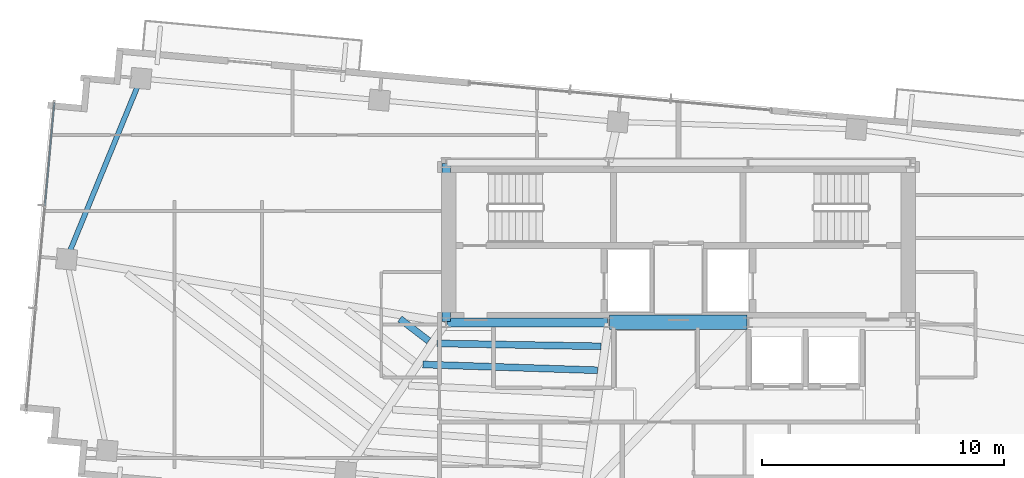
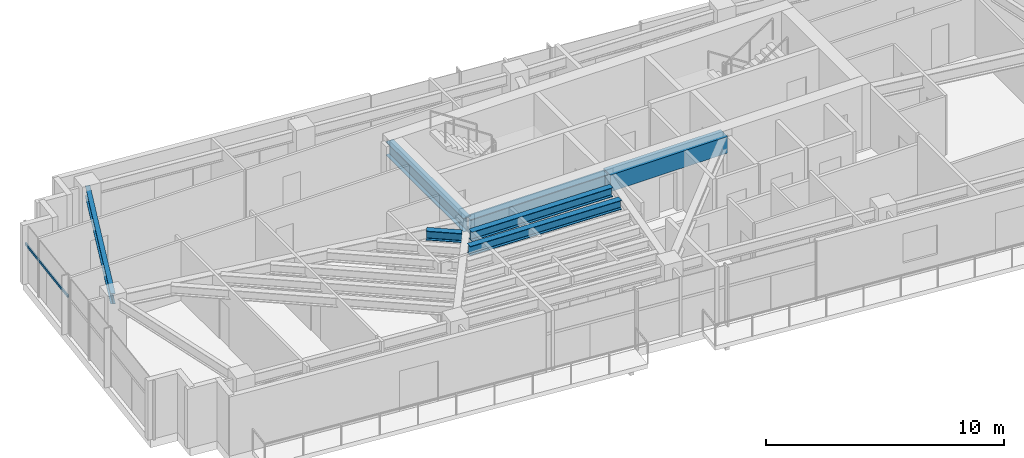
# One storey, part 8 of 22: 7 beams, 1 member, 1 element without a shape of its own.
"""IFC4 building model written with IfcOpenShell, lengths in metres."""

from ifc_helpers import new_model, si_unit, direction, frame, origin, origin_2d, place, context, subcontext, project, spatial, rectangle, hollow_rectangle, i_section, extrude, source, transform, mapped, material, material_profile, profile_set, type_object, type_shapes, element, aggregate, save


model = new_model("IFC4")

# Units and contexts
model_context = context("Model", 3, precision=1e-05, world=origin(), true_north=direction((0.0, 1.0)))
body_context = subcontext(model_context, "Body", "Model", "MODEL_VIEW")
ifc_project = project(units=[si_unit("LENGTHUNIT", "METRE"), si_unit("AREAUNIT", "SQUARE_METRE"), si_unit("VOLUMEUNIT", "CUBIC_METRE"), si_unit("PLANEANGLEUNIT", "RADIAN"), si_unit("MASSUNIT", "GRAM", prefix="KILO")], contexts=[model_context])

# Site, building, storey
site_placement = place(None, origin())
site = spatial("IfcSite", under=ifc_project, at=site_placement, CompositionType="ELEMENT")
building_placement = place(site_placement, origin())
building = spatial("IfcBuilding", under=site, at=building_placement, Name="Astriad Promenade Condominiums", CompositionType="ELEMENT")
storey_placement = place(building_placement, frame((0.0, 0.0, 216.60009765625)))
storey = spatial("IfcBuildingStorey", under=building, at=storey_placement, Name="L62", CompositionType="ELEMENT", Elevation=216.60009765625)

# Beams
ifc_material_1 = material(Name="Steel ASTM A992 Grade 50", Category="steel")
ifc_material_profile_1 = material_profile(ifc_material_1, i_section(OverallWidth=0.3837890625, OverallDepth=0.785888671875, WebThickness=0.019775390625, FlangeThickness=0.033447265625, FilletRadius=0.021484375, at=origin_2d()), Name="W30X211")
ifc_profile_set_1 = profile_set([ifc_material_profile_1], Name="Steel ASTM A992 Grade 50")
beam_type_1 = type_object("IfcBeamType", Name="STEEL FLOOR GIRDER W30X211", PredefinedType="BEAM", material=ifc_profile_set_1)
shared_shape_1 = source(origin(), body_context, "Body", "SweptSolid", [
    extrude(i_section(OverallWidth=0.3837890625, OverallDepth=0.785888671875, WebThickness=0.019775390625, FlangeThickness=0.033447265625, FilletRadius=0.021484375, at=origin_2d()), origin(), (0.0, 0.0, 1.0), 6.64013671875),
])
type_shapes(beam_type_1, [shared_shape_1])
beam_1_placement = place(storey_placement, frame((26.43994140625, 17.39990234375, 2.64697265625), z_axis=(1.0, 0.0, 0.0), x_axis=(0.0, 1.0, 0.0)))
element("IfcBeam", 1, at=beam_1_placement, inside=storey, type_object=beam_type_1, Name="Core Ring Beam CG-S1-L62", PredefinedType="BEAM", context=body_context, shape_type="MappedRepresentation", body=[
    mapped(shared_shape_1, transform((0.0, 0.0, 0.0), scale=1.0)),
])
ifc_material_profile_2 = material_profile(ifc_material_1, i_section(OverallWidth=0.35791015625, OverallDepth=0.706298828125, WebThickness=0.018310546875, FlangeThickness=0.0302734375, FilletRadius=0.020263671875, at=origin_2d()), Name="W27X178")
ifc_profile_set_2 = profile_set([ifc_material_profile_2], Name="Steel ASTM A992 Grade 50")
beam_type_2 = type_object("IfcBeamType", Name="STEEL FLOOR GIRDER W27X178", PredefinedType="BEAM", material=ifc_profile_set_2)
shared_shape_2 = source(origin(), body_context, "Body", "SweptSolid", [
    extrude(i_section(OverallWidth=0.35791015625, OverallDepth=0.706298828125, WebThickness=0.018310546875, FlangeThickness=0.0302734375, FilletRadius=0.020263671875, at=origin_2d()), origin(), (0.0, 0.0, 1.0), 6.52001953125),
])
type_shapes(beam_type_2, [shared_shape_2])
beam_2_placement = place(storey_placement, frame((26.39990234375, 17.43994140625, 2.686767578125), z_axis=(0.0, 1.0, 0.0), x_axis=(-1.0, 0.0, 0.0)))
element("IfcBeam", 2, at=beam_2_placement, inside=storey, type_object=beam_type_2, Name="Core Ring Beam CG-W1-L62", PredefinedType="BEAM", context=body_context, shape_type="MappedRepresentation", body=[
    mapped(shared_shape_2, transform((0.0, 0.0, 0.0), scale=1.0)),
])
ifc_material_2 = material(Name="Concrete C60/75", Category="concrete")
ifc_material_profile_3 = material_profile(ifc_material_2, rectangle(XDim=0.60009765625, YDim=0.85009765625, at=origin_2d()), Name="RC-BM-600X850")
ifc_profile_set_3 = profile_set([ifc_material_profile_3], Name="Concrete C60/75")
beam_type_3 = type_object("IfcBeamType", Name="CONCRETE CORE COUPLING LINTEL 600X850", PredefinedType="LINTEL", material=ifc_profile_set_3)
shared_shape_3 = source(origin(), body_context, "Body", "SweptSolid", [
    extrude(rectangle(XDim=0.60009765625, YDim=0.85009765625, at=origin_2d()), origin(), (0.0, 0.0, 1.0), 5.68017578125),
])
type_shapes(beam_type_3, [shared_shape_3])
beam_3_placement = place(storey_placement, frame((33.159912109375, 17.39990234375, 2.614990234375), z_axis=(1.0, 0.0, 0.0), x_axis=(0.0, 1.0, 0.0)))
element("IfcBeam", 3, at=beam_3_placement, inside=storey, type_object=beam_type_3, Name="Core Ring Beam CG-S2-L62", PredefinedType="LINTEL", context=body_context, shape_type="MappedRepresentation", body=[
    mapped(shared_shape_3, transform((0.0, 0.0, 0.0), scale=1.0)),
])
ifc_material_profile_4 = material_profile(ifc_material_1, i_section(OverallWidth=0.210693359375, OverallDepth=0.53955078125, WebThickness=0.01171875, FlangeThickness=0.018798828125, FilletRadius=0.0166015625, at=origin_2d()), Name="W21X73")
ifc_profile_set_4 = profile_set([ifc_material_profile_4], Name="Steel ASTM A992 Grade 50")
beam_type_4 = type_object("IfcBeamType", Name="STEEL SPANDREL BEAM W21X73", PredefinedType="SPANDREL", material=ifc_profile_set_4)
shared_shape_4 = source(origin(), body_context, "Body", "SweptSolid", [
    extrude(i_section(OverallWidth=0.210693359375, OverallDepth=0.53955078125, WebThickness=0.01171875, FlangeThickness=0.018798828125, FilletRadius=0.0166015625, at=origin_2d()), origin(), (0.0, 0.0, 1.0), 7.998779296875),
])
type_shapes(beam_type_4, [shared_shape_4])
beam_4_placement = place(storey_placement, frame((13.76611328125, 27.44580078125, 2.77001953125), z_axis=(-0.38000513148, -0.924984378273, 0.0), x_axis=(0.924984378273, -0.38000513148, 0.0)))
element("IfcBeam", 4, at=beam_4_placement, inside=storey, type_object=beam_type_4, Name="Perimeter Spandrel Beam SP-W2-L62", PredefinedType="SPANDREL", context=body_context, shape_type="MappedRepresentation", body=[
    mapped(shared_shape_4, transform((0.0, 0.0, 0.0), scale=1.0)),
])
ifc_material_profile_5 = material_profile(ifc_material_1, i_section(OverallWidth=0.283203125, OverallDepth=0.47216796875, WebThickness=0.013671875, FlangeThickness=0.022216796875, FilletRadius=0.01513671875, at=origin_2d()), Name="W18X97")
ifc_profile_set_5 = profile_set([ifc_material_profile_5], Name="Steel ASTM A992 Grade 50")
beam_type_5 = type_object("IfcBeamType", Name="STEEL FLOOR JOIST W18X97", PredefinedType="JOIST", material=ifc_profile_set_5)
shared_shape_5 = source(origin(), body_context, "Body", "SweptSolid", [
    extrude(i_section(OverallWidth=0.283203125, OverallDepth=0.47216796875, WebThickness=0.013671875, FlangeThickness=0.022216796875, FilletRadius=0.01513671875, at=origin_2d()), origin(), (0.0, 0.0, 1.0), 1.497314453125),
])
beam_5_placement = place(storey_placement, frame((24.489501953125, 17.547119140625, 2.8037109375), z_axis=(0.79482500583, -0.606838701887, 0.0), x_axis=(0.606838701887, 0.79482500583, 0.0)))
element("IfcBeam", 5, at=beam_5_placement, inside=storey, type_object=beam_type_5, Name="Secondary Composite Floor Joist JW1-6-L62", PredefinedType="JOIST", context=body_context, shape_type="MappedRepresentation", body=[
    mapped(shared_shape_5, transform((0.0, 0.0, 0.0), scale=1.0)),
])
shared_shape_6 = source(origin(), body_context, "Body", "SweptSolid", [
    extrude(i_section(OverallWidth=0.283203125, OverallDepth=0.47216796875, WebThickness=0.013671875, FlangeThickness=0.022216796875, FilletRadius=0.01513671875, at=origin_2d()), origin(), (0.0, 0.0, 1.0), 7.226318359375),
])
beam_6_placement = place(storey_placement, frame((25.43798828125, 15.659912109375, 2.8037109375), z_axis=(0.999453981353, -0.033041476313, 0.0), x_axis=(0.033041476313, 0.999453981353, 0.0)))
element("IfcBeam", 6, at=beam_6_placement, inside=storey, type_object=beam_type_5, Name="Secondary Composite Floor Joist JCW-5-L62", PredefinedType="JOIST", context=body_context, shape_type="MappedRepresentation", body=[
    mapped(shared_shape_6, transform((0.0, 0.0, 0.0), scale=1.0)),
])
shared_shape_7 = source(origin(), body_context, "Body", "SweptSolid", [
    extrude(i_section(OverallWidth=0.283203125, OverallDepth=0.47216796875, WebThickness=0.013671875, FlangeThickness=0.022216796875, FilletRadius=0.01513671875, at=origin_2d()), origin(), (0.0, 0.0, 1.0), 6.781494140625),
])
type_shapes(beam_type_5, [shared_shape_5, shared_shape_6, shared_shape_7])
beam_7_placement = place(storey_placement, frame((26.022216796875, 16.52978515625, 2.8037109375), z_axis=(0.999845665325, -0.017568310398, 0.0), x_axis=(0.017568310398, 0.999845665325, 0.0)))
element("IfcBeam", 7, at=beam_7_placement, inside=storey, type_object=beam_type_5, Name="Secondary Composite Floor Joist JCW-6-L62", PredefinedType="JOIST", context=body_context, shape_type="MappedRepresentation", body=[
    mapped(shared_shape_7, transform((0.0, 0.0, 0.0), scale=1.0)),
])

# Curtain wall, member
ifc_material_3 = material(Name="Anodised aluminium Black Dark Glass Unitised", Category="aluminium")
curtain_wall_type = type_object("IfcCurtainWallType", Name="CW-B5-DARK", PredefinedType="USERDEFINED", material=ifc_material_3)
curtain_wall_placement = place(storey_placement, origin())
curtain_wall = element("IfcCurtainWall", 8, at=curtain_wall_placement, inside=storey, type_object=curtain_wall_type, Name="CW-L62-W", ObjectType="UNITISED_CURTAIN_WALL", PredefinedType="USERDEFINED")
ifc_material_4 = material(Name="Anodised aluminium 6063-T6 Black", Category="aluminium")
ifc_material_profile_6 = material_profile(ifc_material_4, hollow_rectangle(XDim=0.06494140625, YDim=0.1298828125, WallThickness=0.00390625, at=origin_2d()), Name="ALU-TRN-65X130")
ifc_profile_set_6 = profile_set([ifc_material_profile_6], Name="Anodised aluminium 6063-T6 Black")
member_type = type_object("IfcMemberType", Name="TRN-ALU-TRN-65X130", PredefinedType="USERDEFINED", material=ifc_profile_set_6)
shared_shape_8 = source(origin(), body_context, "Body", "SweptSolid", [
    extrude(hollow_rectangle(XDim=0.06494140625, YDim=0.1298828125, WallThickness=0.00390625, at=origin_2d()), origin(), (0.0, 0.0, 1.0), 4.2666015625),
])
type_shapes(member_type, [shared_shape_8])
member_placement = place(storey_placement, frame((9.819091796875, 22.233642578125, 1.884765625), z_axis=(0.090638931954, 0.99588382054, 0.0), x_axis=(-0.99588382054, 0.090638931954, 0.0)))
member = element("IfcMember", 9, at=member_placement, type_object=member_type, Name="CW-L62-W-TRN-02-0", ObjectType="TRANSOM", PredefinedType="USERDEFINED", context=body_context, shape_type="MappedRepresentation", body=[
    mapped(shared_shape_8, transform((0.0, 0.0, 0.0), scale=1.0)),
])
aggregate(curtain_wall, [member])

save(model, "model.ifc")
